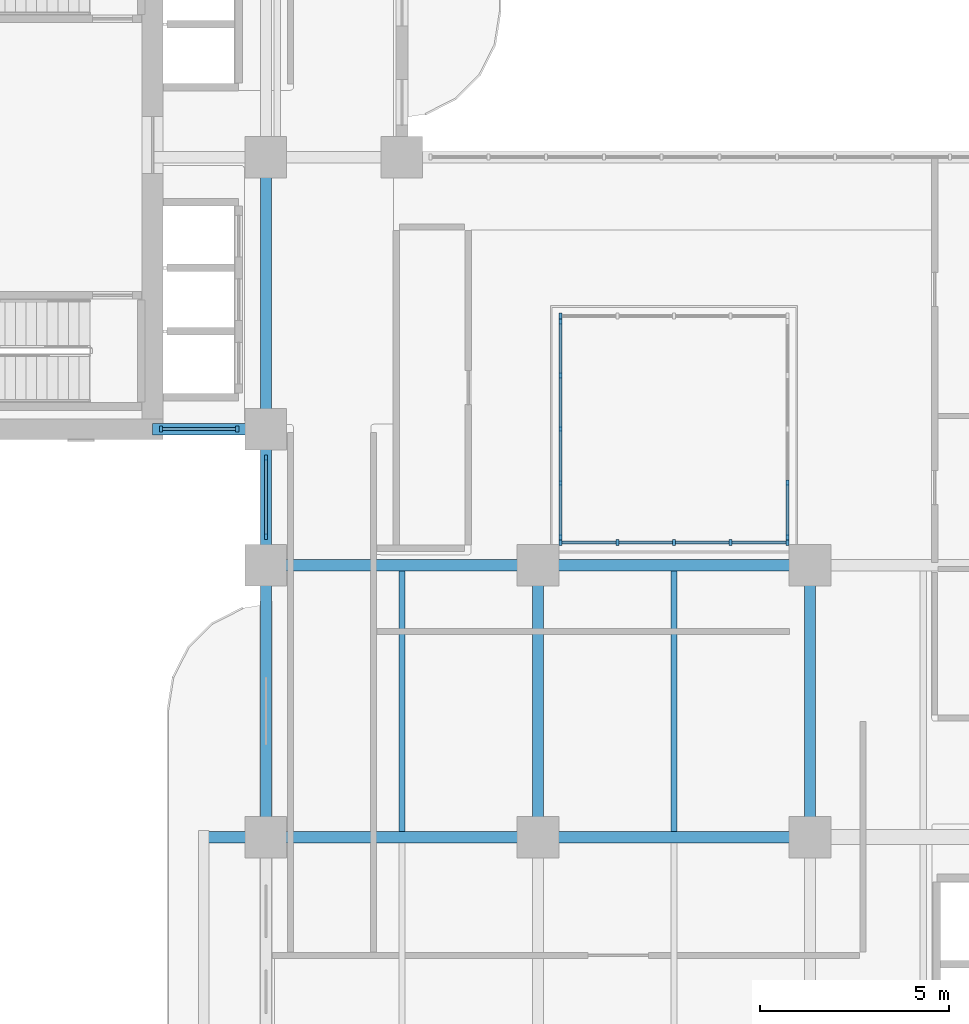
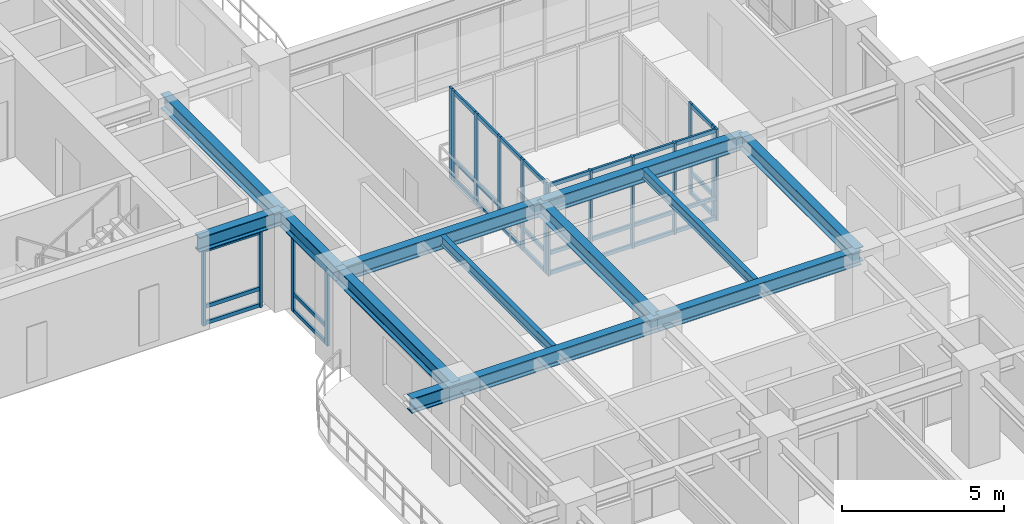
# One storey, part 2 of 22: 50 members, 12 beams, 6 elements without a shape of their own.
"""IFC4 building model written with IfcOpenShell, lengths in metres."""

from ifc_helpers import new_model, si_unit, derived_unit, direction, frame, origin, origin_2d, place, context, subcontext, project, spatial, rectangle, i_section, extrude, source, transform, mapped, material, layer, layer_set, material_profile, profile_set, type_object, type_shapes, element, aggregate, save


model = new_model("IFC4")

# Units and contexts
model_context = context("Model", 3, precision=1e-05, world=origin(), true_north=direction((0.0, 1.0)))
body_context = subcontext(model_context, "Body", "Model", "MODEL_VIEW")
ifc_project = project(units=[si_unit("LENGTHUNIT", "METRE"), si_unit("AREAUNIT", "SQUARE_METRE"), si_unit("VOLUMEUNIT", "CUBIC_METRE"), si_unit("PLANEANGLEUNIT", "RADIAN"), si_unit("MASSUNIT", "GRAM", prefix="KILO"), si_unit("THERMODYNAMICTEMPERATUREUNIT", "KELVIN"), si_unit("POWERUNIT", "WATT"), derived_unit("THERMALTRANSMITTANCEUNIT", [(si_unit("POWERUNIT", "WATT"), 1), (si_unit("AREAUNIT", "SQUARE_METRE"), -1), (si_unit("THERMODYNAMICTEMPERATUREUNIT", "KELVIN"), -1)])], contexts=[model_context])

# Site, building, storey
site_placement = place(None, origin())
site = spatial("IfcSite", under=ifc_project, at=site_placement, CompositionType="ELEMENT")
building_placement = place(site_placement, origin())
building = spatial("IfcBuilding", under=site, at=building_placement, Name="Zahravan Archway Hotel and Residences", CompositionType="ELEMENT")
storey_placement = place(building_placement, frame((0.0, 0.0, 76.800048828125)))
storey = spatial("IfcBuildingStorey", under=building, at=storey_placement, Name="L18", CompositionType="ELEMENT", Elevation=76.800048828125)

# Beams
ifc_material_1 = material(Name="Structural Steel S355JR", Category="steel")
ifc_material_profile_1 = material_profile(ifc_material_1, i_section(OverallWidth=0.300048828125, OverallDepth=0.550048828125, WebThickness=0.014892578125, FlangeThickness=0.029052734375, FilletRadius=0.027099609375, at=origin_2d()), Name="HEB 550", Category="steel")
ifc_profile_set_1 = profile_set([ifc_material_profile_1], Name="Structural Steel S355JR")
beam_type_1 = type_object("IfcBeamType", Name="BM-PRI-HEB550", PredefinedType="BEAM", material=ifc_profile_set_1)
shared_shape_1 = source(origin(), body_context, "Body", "SweptSolid", [
    extrude(i_section(OverallWidth=0.300048828125, OverallDepth=0.550048828125, WebThickness=0.014892578125, FlangeThickness=0.029052734375, FilletRadius=0.027099609375, at=origin_2d()), origin(), (0.0, 0.0, 1.0), 7.2001953125),
])
type_shapes(beam_type_1, [shared_shape_1])
for number, where, z_axis, x_axis, name in (
    (1, (14.39990234375, 21.60009765625, 3.175048828125), (1.0, 0.0, 0.0), (0.0, 1.0, 0.0), "L18 Primary Girder EW-14"),
    (2, (14.39990234375, 14.39990234375, 3.175048828125), (0.0, 1.0, 0.0), (-1.0, 0.0, 0.0), "L18 Primary Girder NS-34"),
    (3, (21.60009765625, 14.39990234375, 3.175048828125), (0.0, 1.0, 0.0), (-1.0, 0.0, 0.0), "L18 Primary Girder NS-41"),
    (4, (28.800048828125, 14.39990234375, 3.175048828125), (0.0, 1.0, 0.0), (-1.0, 0.0, 0.0), "L18 Primary Girder NS-44"),
):
    element("IfcBeam", number, at=place(storey_placement, frame(where, z_axis=z_axis, x_axis=x_axis)), inside=storey, type_object=beam_type_1, Name=name, PredefinedType="BEAM", context=body_context, shape_type="MappedRepresentation", body=[
        mapped(shared_shape_1, transform((0.0, 0.0, 0.0), scale=1.0)),
    ])
shared_shape_2 = source(origin(), body_context, "Body", "SweptSolid", [
    extrude(i_section(OverallWidth=0.300048828125, OverallDepth=0.550048828125, WebThickness=0.014892578125, FlangeThickness=0.029052734375, FilletRadius=0.027099609375, at=origin_2d()), origin(), (0.0, 0.0, 1.0), 7.199951171875),
])
for number, where, z_axis, x_axis, name in (
    (5, (21.60009765625, 14.39990234375, 3.175048828125), (1.0, 0.0, 0.0), (0.0, 1.0, 0.0), "L18 Primary Girder EW-12"),
    (6, (21.60009765625, 21.60009765625, 3.175048828125), (1.0, 0.0, 0.0), (0.0, 1.0, 0.0), "L18 Primary Girder EW-15"),
    (7, (14.39990234375, 25.199951171875, 3.175048828125), (0.0, 1.0, 0.0), (-1.0, 0.0, 0.0), "L18 Primary Girder NS-36"),
):
    element("IfcBeam", number, at=place(storey_placement, frame(where, z_axis=z_axis, x_axis=x_axis)), inside=storey, type_object=beam_type_1, Name=name, PredefinedType="BEAM", context=body_context, shape_type="MappedRepresentation", body=[
        mapped(shared_shape_2, transform((0.0, 0.0, 0.0), scale=1.0)),
    ])
shared_shape_3 = source(origin(), body_context, "Body", "SweptSolid", [
    extrude(i_section(OverallWidth=0.300048828125, OverallDepth=0.550048828125, WebThickness=0.014892578125, FlangeThickness=0.029052734375, FilletRadius=0.027099609375, at=origin_2d()), origin(), (0.0, 0.0, 1.0), 8.85009765625),
])
beam_1_placement = place(storey_placement, frame((12.75, 14.39990234375, 3.175048828125), z_axis=(1.0, 0.0, 0.0), x_axis=(0.0, 1.0, 0.0)))
element("IfcBeam", 8, at=beam_1_placement, inside=storey, type_object=beam_type_1, Name="L18 Primary Girder EW-11", PredefinedType="BEAM", context=body_context, shape_type="MappedRepresentation", body=[
    mapped(shared_shape_3, transform((0.0, 0.0, 0.0), scale=1.0)),
])
shared_shape_4 = source(origin(), body_context, "Body", "SweptSolid", [
    extrude(i_section(OverallWidth=0.300048828125, OverallDepth=0.550048828125, WebThickness=0.014892578125, FlangeThickness=0.029052734375, FilletRadius=0.027099609375, at=origin_2d()), origin(), (0.0, 0.0, 1.0), 3.0),
])
beam_2_placement = place(storey_placement, frame((11.39990234375, 25.199951171875, 3.175048828125), z_axis=(1.0, 0.0, 0.0), x_axis=(0.0, 1.0, 0.0)))
element("IfcBeam", 9, at=beam_2_placement, inside=storey, type_object=beam_type_1, Name="L18 Primary Girder EW-20", PredefinedType="BEAM", context=body_context, shape_type="MappedRepresentation", body=[
    mapped(shared_shape_4, transform((0.0, 0.0, 0.0), scale=1.0)),
])
shared_shape_5 = source(origin(), body_context, "Body", "SweptSolid", [
    extrude(i_section(OverallWidth=0.300048828125, OverallDepth=0.550048828125, WebThickness=0.014892578125, FlangeThickness=0.029052734375, FilletRadius=0.027099609375, at=origin_2d()), origin(), (0.0, 0.0, 1.0), 3.599853515625),
])
beam_3_placement = place(storey_placement, frame((14.39990234375, 21.60009765625, 3.175048828125), z_axis=(0.0, 1.0, 0.0), x_axis=(-1.0, 0.0, 0.0)))
element("IfcBeam", 10, at=beam_3_placement, inside=storey, type_object=beam_type_1, Name="L18 Primary Girder NS-35", PredefinedType="BEAM", context=body_context, shape_type="MappedRepresentation", body=[
    mapped(shared_shape_5, transform((0.0, 0.0, 0.0), scale=1.0)),
])
ifc_material_profile_2 = material_profile(ifc_material_1, i_section(OverallWidth=0.169921875, OverallDepth=0.360107421875, WebThickness=0.008056640625, FlangeThickness=0.0126953125, FilletRadius=0.01806640625, at=origin_2d()), Name="IPE 360", Category="steel")
ifc_profile_set_2 = profile_set([ifc_material_profile_2], Name="Structural Steel S355JR")
beam_type_2 = type_object("IfcBeamType", Name="BM-JST-IPE360", PredefinedType="JOIST", material=ifc_profile_set_2)
shared_shape_6 = source(origin(), body_context, "Body", "SweptSolid", [
    extrude(i_section(OverallWidth=0.169921875, OverallDepth=0.360107421875, WebThickness=0.008056640625, FlangeThickness=0.0126953125, FilletRadius=0.01806640625, at=origin_2d()), origin(), (0.0, 0.0, 1.0), 6.90380859375),
])
for number, where, z_axis, x_axis, name in (
    (11, (18.0, 14.548095703125, 3.27001953125), (0.0, 1.0, 0.0), (-1.0, 0.0, 0.0), "L18 Composite Floor Joist 10"),
    (12, (25.199951171875, 14.548095703125, 3.27001953125), (0.0, 1.0, 0.0), (-1.0, 0.0, 0.0), "L18 Composite Floor Joist 11"),
):
    element("IfcBeam", number, at=place(storey_placement, frame(where, z_axis=z_axis, x_axis=x_axis)), inside=storey, type_object=beam_type_2, Name=name, PredefinedType="JOIST", context=body_context, shape_type="MappedRepresentation", body=[
        mapped(shared_shape_6, transform((0.0, 0.0, 0.0), scale=1.0)),
    ])

# Curtain wall, members
ifc_material_2 = material(Name="Bronze-Anodized Unitised Aluminium & Low-E Glass", Category="aluminium")
ifc_layer = layer(ifc_material_2, 0.179931640625, Name="Bronze-Anodized Unitised Aluminium & Low-E Glass", Category="aluminium")
ifc_layer_set = layer_set([ifc_layer], Name="Bronze-Anodized Unitised Aluminium & Low-E Glass")
curtain_wall_type = type_object("IfcCurtainWallType", Name="CW-ATR-GLAZ", PredefinedType="NOTDEFINED", material=ifc_layer_set)
curtain_wall_1_placement = place(storey_placement, origin())
curtain_wall_1 = element("IfcCurtainWall", 13, at=curtain_wall_1_placement, inside=storey, type_object=curtain_wall_type, Name="L18 Curtain Wall CW-L18-WA-WLU-1", PredefinedType="NOTDEFINED")
ifc_material_3 = material(Name="Bronze-Anodized Extruded Aluminium", Category="aluminium")
ifc_material_profile_3 = material_profile(ifc_material_3, rectangle(XDim=0.080078125, YDim=0.159912109375, at=origin_2d()), Name="MUL 80x160", Category="aluminium")
ifc_profile_set_3 = profile_set([ifc_material_profile_3], Name="Bronze-Anodized Extruded Aluminium")
member_type_1 = type_object("IfcMemberType", Name="CWM-MUL-160", PredefinedType="MULLION", material=ifc_profile_set_3)
shared_shape_7 = source(origin(), body_context, "Body", "SweptSolid", [
    extrude(rectangle(XDim=0.080078125, YDim=0.159912109375, at=origin_2d()), origin(), (0.0, 0.0, 1.0), 2.885009765625),
])
member_1_placement = place(storey_placement, frame((14.39990234375, 22.360107421875, 0.0), z_axis=(0.0, 0.0, 1.0), x_axis=(1.0, 0.0, 0.0)))
member_1 = element("IfcMember", 14, at=member_1_placement, type_object=member_type_1, Name="CW-L18-WA-WLU-1 Mullion 0", PredefinedType="MULLION", context=body_context, shape_type="MappedRepresentation", body=[
    mapped(shared_shape_7, transform((0.0, 0.0, 0.0), scale=1.0)),
])
member_2_placement = place(storey_placement, frame((14.39990234375, 24.43994140625, 0.0), z_axis=(0.0, 0.0, 1.0), x_axis=(1.0, 0.0, 0.0)))
member_2 = element("IfcMember", 15, at=member_2_placement, type_object=member_type_1, Name="CW-L18-WA-WLU-1 Mullion 1", PredefinedType="MULLION", context=body_context, shape_type="MappedRepresentation", body=[
    mapped(shared_shape_7, transform((0.0, 0.0, 0.0), scale=1.0)),
])

curtain_wall_2_placement = place(storey_placement, origin())
curtain_wall_2 = element("IfcCurtainWall", 16, at=curtain_wall_2_placement, inside=storey, type_object=curtain_wall_type, Name="L18 Curtain Wall CW-L18-WB-SE-1", PredefinedType="NOTDEFINED")
member_3_placement = place(storey_placement, frame((11.6201171875, 25.199951171875, 0.0), z_axis=(0.0, 0.0, 1.0), x_axis=(1.0, 0.0, 0.0)))
member_3 = element("IfcMember", 17, at=member_3_placement, type_object=member_type_1, Name="CW-L18-WB-SE-1 Mullion 0", PredefinedType="MULLION", context=body_context, shape_type="MappedRepresentation", body=[
    mapped(shared_shape_7, transform((0.0, 0.0, 0.0), scale=1.0)),
])
member_4_placement = place(storey_placement, frame((13.639892578125, 25.199951171875, 0.0), z_axis=(0.0, 0.0, 1.0), x_axis=(1.0, 0.0, 0.0)))
member_4 = element("IfcMember", 18, at=member_4_placement, type_object=member_type_1, Name="CW-L18-WB-SE-1 Mullion 1", PredefinedType="MULLION", context=body_context, shape_type="MappedRepresentation", body=[
    mapped(shared_shape_7, transform((0.0, 0.0, 0.0), scale=1.0)),
])
ifc_material_profile_4 = material_profile(ifc_material_3, rectangle(XDim=0.080078125, YDim=0.139892578125, at=origin_2d()), Name="TRN 80x140", Category="aluminium")
ifc_profile_set_4 = profile_set([ifc_material_profile_4], Name="Bronze-Anodized Extruded Aluminium")
member_type_2 = type_object("IfcMemberType", Name="CWM-TRN-140", PredefinedType="USERDEFINED", material=ifc_profile_set_4)
shared_shape_8 = source(origin(), body_context, "Body", "SweptSolid", [
    extrude(rectangle(XDim=0.080078125, YDim=0.139892578125, at=origin_2d()), origin(), (0.0, 0.0, 1.0), 1.940185546875),
])
member_5_placement = place(storey_placement, frame((11.659912109375, 25.199951171875, 0.070068359375), z_axis=(1.0, 0.0, 0.0), x_axis=(0.0, 1.0, 0.0)))
member_5 = element("IfcMember", 19, at=member_5_placement, type_object=member_type_2, Name="CW-L18-WB-SE-1 Transom 0-1", ObjectType="TRANSOM", PredefinedType="USERDEFINED", context=body_context, shape_type="MappedRepresentation", body=[
    mapped(shared_shape_8, transform((0.0, 0.0, 0.0), scale=1.0)),
])
member_6_placement = place(storey_placement, frame((11.659912109375, 25.199951171875, 0.6923828125), z_axis=(1.0, 0.0, 0.0), x_axis=(0.0, 1.0, 0.0)))
member_6 = element("IfcMember", 20, at=member_6_placement, type_object=member_type_2, Name="CW-L18-WB-SE-1 Transom 0-2", ObjectType="TRANSOM", PredefinedType="USERDEFINED", context=body_context, shape_type="MappedRepresentation", body=[
    mapped(shared_shape_8, transform((0.0, 0.0, 0.0), scale=1.0)),
])
member_7_placement = place(storey_placement, frame((11.659912109375, 25.199951171875, 2.81494140625), z_axis=(1.0, 0.0, 0.0), x_axis=(0.0, 1.0, 0.0)))
member_7 = element("IfcMember", 21, at=member_7_placement, type_object=member_type_2, Name="CW-L18-WB-SE-1 Transom 0-3", ObjectType="TRANSOM", PredefinedType="USERDEFINED", context=body_context, shape_type="MappedRepresentation", body=[
    mapped(shared_shape_8, transform((0.0, 0.0, 0.0), scale=1.0)),
])
aggregate(curtain_wall_2, [member_3, member_4, member_5, member_6, member_7])

# Member
shared_shape_9 = source(origin(), body_context, "Body", "SweptSolid", [
    extrude(rectangle(XDim=0.080078125, YDim=0.139892578125, at=origin_2d()), origin(), (0.0, 0.0, 1.0), 2.0),
])
member_8_placement = place(storey_placement, frame((14.39990234375, 22.39990234375, 0.070068359375), z_axis=(0.0, 1.0, 0.0), x_axis=(-1.0, 0.0, 0.0)))
member_8 = element("IfcMember", 22, at=member_8_placement, type_object=member_type_2, Name="CW-L18-WA-WLU-1 Transom 0-1", ObjectType="TRANSOM", PredefinedType="USERDEFINED", context=body_context, shape_type="MappedRepresentation", body=[
    mapped(shared_shape_9, transform((0.0, 0.0, 0.0), scale=1.0)),
])

member_9_placement = place(storey_placement, frame((14.39990234375, 22.39990234375, 0.6923828125), z_axis=(0.0, 1.0, 0.0), x_axis=(-1.0, 0.0, 0.0)))
member_9 = element("IfcMember", 23, at=member_9_placement, type_object=member_type_2, Name="CW-L18-WA-WLU-1 Transom 0-2", ObjectType="TRANSOM", PredefinedType="USERDEFINED", context=body_context, shape_type="MappedRepresentation", body=[
    mapped(shared_shape_9, transform((0.0, 0.0, 0.0), scale=1.0)),
])

member_10_placement = place(storey_placement, frame((14.39990234375, 22.39990234375, 2.81494140625), z_axis=(0.0, 1.0, 0.0), x_axis=(-1.0, 0.0, 0.0)))
member_10 = element("IfcMember", 24, at=member_10_placement, type_object=member_type_2, Name="CW-L18-WA-WLU-1 Transom 0-3", ObjectType="TRANSOM", PredefinedType="USERDEFINED", context=body_context, shape_type="MappedRepresentation", body=[
    mapped(shared_shape_9, transform((0.0, 0.0, 0.0), scale=1.0)),
])

aggregate(curtain_wall_1, [member_1, member_2, member_8, member_9, member_10])

# Curtain wall, members
curtain_wall_3_placement = place(storey_placement, origin())
curtain_wall_3 = element("IfcCurtainWall", 25, at=curtain_wall_3_placement, inside=storey, type_object=curtain_wall_type, Name="L18 Curtain Wall CW-ATR-L18-S-1", PredefinedType="NOTDEFINED")
shared_shape_10 = source(origin(), body_context, "Body", "SweptSolid", [
    extrude(rectangle(XDim=0.080078125, YDim=0.159912109375, at=origin_2d()), origin(), (0.0, 0.0, 1.0), 3.449951171875),
])
member_11_placement = place(storey_placement, frame((22.199951171875, 22.199951171875, 0.0), z_axis=(0.0, 0.0, 1.0), x_axis=(1.0, 0.0, 0.0)))
member_11 = element("IfcMember", 26, at=member_11_placement, type_object=member_type_1, Name="CW-ATR-L18-S-1 Mullion 0", PredefinedType="MULLION", context=body_context, shape_type="MappedRepresentation", body=[
    mapped(shared_shape_10, transform((0.0, 0.0, 0.0), scale=1.0)),
])
member_12_placement = place(storey_placement, frame((23.699951171875, 22.199951171875, 0.0), z_axis=(0.0, 0.0, 1.0), x_axis=(1.0, 0.0, 0.0)))
member_12 = element("IfcMember", 27, at=member_12_placement, type_object=member_type_1, Name="CW-ATR-L18-S-1 Mullion 1", PredefinedType="MULLION", context=body_context, shape_type="MappedRepresentation", body=[
    mapped(shared_shape_10, transform((0.0, 0.0, 0.0), scale=1.0)),
])
member_13_placement = place(storey_placement, frame((25.199951171875, 22.199951171875, 0.0), z_axis=(0.0, 0.0, 1.0), x_axis=(1.0, 0.0, 0.0)))
member_13 = element("IfcMember", 28, at=member_13_placement, type_object=member_type_1, Name="CW-ATR-L18-S-1 Mullion 2", PredefinedType="MULLION", context=body_context, shape_type="MappedRepresentation", body=[
    mapped(shared_shape_10, transform((0.0, 0.0, 0.0), scale=1.0)),
])
member_14_placement = place(storey_placement, frame((26.699951171875, 22.199951171875, 0.0), z_axis=(0.0, 0.0, 1.0), x_axis=(1.0, 0.0, 0.0)))
member_14 = element("IfcMember", 29, at=member_14_placement, type_object=member_type_1, Name="CW-ATR-L18-S-1 Mullion 3", PredefinedType="MULLION", context=body_context, shape_type="MappedRepresentation", body=[
    mapped(shared_shape_10, transform((0.0, 0.0, 0.0), scale=1.0)),
])
member_15_placement = place(storey_placement, frame((28.199951171875, 22.199951171875, 0.0), z_axis=(0.0, 0.0, 1.0), x_axis=(1.0, 0.0, 0.0)))
member_15 = element("IfcMember", 30, at=member_15_placement, type_object=member_type_1, Name="CW-ATR-L18-S-1 Mullion 4", PredefinedType="MULLION", context=body_context, shape_type="MappedRepresentation", body=[
    mapped(shared_shape_10, transform((0.0, 0.0, 0.0), scale=1.0)),
])

# Curtain wall, member
curtain_wall_4_placement = place(storey_placement, origin())
curtain_wall_4 = element("IfcCurtainWall", 31, at=curtain_wall_4_placement, inside=storey, type_object=curtain_wall_type, Name="L18 Curtain Wall CW-ATR-L18-N-1", PredefinedType="NOTDEFINED")
member_16_placement = place(storey_placement, frame((22.199951171875, 28.199951171875, 0.0), z_axis=(0.0, 0.0, 1.0), x_axis=(1.0, 0.0, 0.0)))
member_16 = element("IfcMember", 32, at=member_16_placement, type_object=member_type_1, Name="CW-ATR-L18-N-1 Mullion 0", PredefinedType="MULLION", context=body_context, shape_type="MappedRepresentation", body=[
    mapped(shared_shape_10, transform((0.0, 0.0, 0.0), scale=1.0)),
])
aggregate(curtain_wall_4, [member_16])

# Curtain wall, members
curtain_wall_5_placement = place(storey_placement, origin())
curtain_wall_5 = element("IfcCurtainWall", 33, at=curtain_wall_5_placement, inside=storey, type_object=curtain_wall_type, Name="L18 Curtain Wall CW-ATR-L18-W-1", PredefinedType="NOTDEFINED")
member_17_placement = place(storey_placement, frame((22.199951171875, 22.35009765625, 0.0), z_axis=(0.0, 0.0, 1.0), x_axis=(1.0, 0.0, 0.0)))
member_17 = element("IfcMember", 34, at=member_17_placement, type_object=member_type_1, Name="CW-ATR-L18-W-1 Mullion 0", PredefinedType="MULLION", context=body_context, shape_type="MappedRepresentation", body=[
    mapped(shared_shape_10, transform((0.0, 0.0, 0.0), scale=1.0)),
])
member_18_placement = place(storey_placement, frame((22.199951171875, 23.77490234375, 0.0), z_axis=(0.0, 0.0, 1.0), x_axis=(1.0, 0.0, 0.0)))
member_18 = element("IfcMember", 35, at=member_18_placement, type_object=member_type_1, Name="CW-ATR-L18-W-1 Mullion 1", PredefinedType="MULLION", context=body_context, shape_type="MappedRepresentation", body=[
    mapped(shared_shape_10, transform((0.0, 0.0, 0.0), scale=1.0)),
])
member_19_placement = place(storey_placement, frame((22.199951171875, 25.199951171875, 0.0), z_axis=(0.0, 0.0, 1.0), x_axis=(1.0, 0.0, 0.0)))
member_19 = element("IfcMember", 36, at=member_19_placement, type_object=member_type_1, Name="CW-ATR-L18-W-1 Mullion 2", PredefinedType="MULLION", context=body_context, shape_type="MappedRepresentation", body=[
    mapped(shared_shape_10, transform((0.0, 0.0, 0.0), scale=1.0)),
])
member_20_placement = place(storey_placement, frame((22.199951171875, 26.625, 0.0), z_axis=(0.0, 0.0, 1.0), x_axis=(1.0, 0.0, 0.0)))
member_20 = element("IfcMember", 37, at=member_20_placement, type_object=member_type_1, Name="CW-ATR-L18-W-1 Mullion 3", PredefinedType="MULLION", context=body_context, shape_type="MappedRepresentation", body=[
    mapped(shared_shape_10, transform((0.0, 0.0, 0.0), scale=1.0)),
])
member_21_placement = place(storey_placement, frame((22.199951171875, 28.050048828125, 0.0), z_axis=(0.0, 0.0, 1.0), x_axis=(1.0, 0.0, 0.0)))
member_21 = element("IfcMember", 38, at=member_21_placement, type_object=member_type_1, Name="CW-ATR-L18-W-1 Mullion 4", PredefinedType="MULLION", context=body_context, shape_type="MappedRepresentation", body=[
    mapped(shared_shape_10, transform((0.0, 0.0, 0.0), scale=1.0)),
])

curtain_wall_6_placement = place(storey_placement, origin())
curtain_wall_6 = element("IfcCurtainWall", 39, at=curtain_wall_6_placement, inside=storey, type_object=curtain_wall_type, Name="L18 Curtain Wall CW-ATR-L18-E-1", PredefinedType="NOTDEFINED")
member_22_placement = place(storey_placement, frame((28.199951171875, 22.35009765625, 0.0), z_axis=(0.0, 0.0, 1.0), x_axis=(1.0, 0.0, 0.0)))
member_22 = element("IfcMember", 40, at=member_22_placement, type_object=member_type_1, Name="CW-ATR-L18-E-1 Mullion 0", PredefinedType="MULLION", context=body_context, shape_type="MappedRepresentation", body=[
    mapped(shared_shape_10, transform((0.0, 0.0, 0.0), scale=1.0)),
])
member_23_placement = place(storey_placement, frame((28.199951171875, 23.77490234375, 0.0), z_axis=(0.0, 0.0, 1.0), x_axis=(1.0, 0.0, 0.0)))
member_23 = element("IfcMember", 41, at=member_23_placement, type_object=member_type_1, Name="CW-ATR-L18-E-1 Mullion 1", PredefinedType="MULLION", context=body_context, shape_type="MappedRepresentation", body=[
    mapped(shared_shape_10, transform((0.0, 0.0, 0.0), scale=1.0)),
])

# Member
shared_shape_11 = source(origin(), body_context, "Body", "SweptSolid", [
    extrude(rectangle(XDim=0.080078125, YDim=0.139892578125, at=origin_2d()), origin(), (0.0, 0.0, 1.0), 1.419921875),
])
member_24_placement = place(storey_placement, frame((22.239990234375, 22.199951171875, 0.070068359375), z_axis=(1.0, 0.0, 0.0), x_axis=(0.0, 1.0, 0.0)))
member_24 = element("IfcMember", 42, at=member_24_placement, type_object=member_type_2, Name="CW-ATR-L18-S-1 Transom 0-1", ObjectType="TRANSOM", PredefinedType="USERDEFINED", context=body_context, shape_type="MappedRepresentation", body=[
    mapped(shared_shape_11, transform((0.0, 0.0, 0.0), scale=1.0)),
])

member_25_placement = place(storey_placement, frame((22.239990234375, 22.199951171875, 0.827880859375), z_axis=(1.0, 0.0, 0.0), x_axis=(0.0, 1.0, 0.0)))
member_25 = element("IfcMember", 43, at=member_25_placement, type_object=member_type_2, Name="CW-ATR-L18-S-1 Transom 0-2", ObjectType="TRANSOM", PredefinedType="USERDEFINED", context=body_context, shape_type="MappedRepresentation", body=[
    mapped(shared_shape_11, transform((0.0, 0.0, 0.0), scale=1.0)),
])

member_26_placement = place(storey_placement, frame((22.239990234375, 22.199951171875, 3.3798828125), z_axis=(1.0, 0.0, 0.0), x_axis=(0.0, 1.0, 0.0)))
member_26 = element("IfcMember", 44, at=member_26_placement, type_object=member_type_2, Name="CW-ATR-L18-S-1 Transom 0-3", ObjectType="TRANSOM", PredefinedType="USERDEFINED", context=body_context, shape_type="MappedRepresentation", body=[
    mapped(shared_shape_11, transform((0.0, 0.0, 0.0), scale=1.0)),
])

member_27_placement = place(storey_placement, frame((23.739990234375, 22.199951171875, 0.070068359375), z_axis=(1.0, 0.0, 0.0), x_axis=(0.0, 1.0, 0.0)))
member_27 = element("IfcMember", 45, at=member_27_placement, type_object=member_type_2, Name="CW-ATR-L18-S-1 Transom 1-1", ObjectType="TRANSOM", PredefinedType="USERDEFINED", context=body_context, shape_type="MappedRepresentation", body=[
    mapped(shared_shape_11, transform((0.0, 0.0, 0.0), scale=1.0)),
])

member_28_placement = place(storey_placement, frame((23.739990234375, 22.199951171875, 0.827880859375), z_axis=(1.0, 0.0, 0.0), x_axis=(0.0, 1.0, 0.0)))
member_28 = element("IfcMember", 46, at=member_28_placement, type_object=member_type_2, Name="CW-ATR-L18-S-1 Transom 1-2", ObjectType="TRANSOM", PredefinedType="USERDEFINED", context=body_context, shape_type="MappedRepresentation", body=[
    mapped(shared_shape_11, transform((0.0, 0.0, 0.0), scale=1.0)),
])

member_29_placement = place(storey_placement, frame((23.739990234375, 22.199951171875, 3.3798828125), z_axis=(1.0, 0.0, 0.0), x_axis=(0.0, 1.0, 0.0)))
member_29 = element("IfcMember", 47, at=member_29_placement, type_object=member_type_2, Name="CW-ATR-L18-S-1 Transom 1-3", ObjectType="TRANSOM", PredefinedType="USERDEFINED", context=body_context, shape_type="MappedRepresentation", body=[
    mapped(shared_shape_11, transform((0.0, 0.0, 0.0), scale=1.0)),
])

member_30_placement = place(storey_placement, frame((25.239990234375, 22.199951171875, 0.070068359375), z_axis=(1.0, 0.0, 0.0), x_axis=(0.0, 1.0, 0.0)))
member_30 = element("IfcMember", 48, at=member_30_placement, type_object=member_type_2, Name="CW-ATR-L18-S-1 Transom 2-1", ObjectType="TRANSOM", PredefinedType="USERDEFINED", context=body_context, shape_type="MappedRepresentation", body=[
    mapped(shared_shape_11, transform((0.0, 0.0, 0.0), scale=1.0)),
])

member_31_placement = place(storey_placement, frame((25.239990234375, 22.199951171875, 0.827880859375), z_axis=(1.0, 0.0, 0.0), x_axis=(0.0, 1.0, 0.0)))
member_31 = element("IfcMember", 49, at=member_31_placement, type_object=member_type_2, Name="CW-ATR-L18-S-1 Transom 2-2", ObjectType="TRANSOM", PredefinedType="USERDEFINED", context=body_context, shape_type="MappedRepresentation", body=[
    mapped(shared_shape_11, transform((0.0, 0.0, 0.0), scale=1.0)),
])

member_32_placement = place(storey_placement, frame((25.239990234375, 22.199951171875, 3.3798828125), z_axis=(1.0, 0.0, 0.0), x_axis=(0.0, 1.0, 0.0)))
member_32 = element("IfcMember", 50, at=member_32_placement, type_object=member_type_2, Name="CW-ATR-L18-S-1 Transom 2-3", ObjectType="TRANSOM", PredefinedType="USERDEFINED", context=body_context, shape_type="MappedRepresentation", body=[
    mapped(shared_shape_11, transform((0.0, 0.0, 0.0), scale=1.0)),
])

member_33_placement = place(storey_placement, frame((26.739990234375, 22.199951171875, 0.070068359375), z_axis=(1.0, 0.0, 0.0), x_axis=(0.0, 1.0, 0.0)))
member_33 = element("IfcMember", 51, at=member_33_placement, type_object=member_type_2, Name="CW-ATR-L18-S-1 Transom 3-1", ObjectType="TRANSOM", PredefinedType="USERDEFINED", context=body_context, shape_type="MappedRepresentation", body=[
    mapped(shared_shape_11, transform((0.0, 0.0, 0.0), scale=1.0)),
])

member_34_placement = place(storey_placement, frame((26.739990234375, 22.199951171875, 0.827880859375), z_axis=(1.0, 0.0, 0.0), x_axis=(0.0, 1.0, 0.0)))
member_34 = element("IfcMember", 52, at=member_34_placement, type_object=member_type_2, Name="CW-ATR-L18-S-1 Transom 3-2", ObjectType="TRANSOM", PredefinedType="USERDEFINED", context=body_context, shape_type="MappedRepresentation", body=[
    mapped(shared_shape_11, transform((0.0, 0.0, 0.0), scale=1.0)),
])

member_35_placement = place(storey_placement, frame((26.739990234375, 22.199951171875, 3.3798828125), z_axis=(1.0, 0.0, 0.0), x_axis=(0.0, 1.0, 0.0)))
member_35 = element("IfcMember", 53, at=member_35_placement, type_object=member_type_2, Name="CW-ATR-L18-S-1 Transom 3-3", ObjectType="TRANSOM", PredefinedType="USERDEFINED", context=body_context, shape_type="MappedRepresentation", body=[
    mapped(shared_shape_11, transform((0.0, 0.0, 0.0), scale=1.0)),
])

aggregate(curtain_wall_3, [member_11, member_12, member_13, member_14, member_15, member_24, member_25, member_26, member_27, member_28, member_29, member_30, member_31, member_32, member_33, member_34, member_35])

shared_shape_12 = source(origin(), body_context, "Body", "SweptSolid", [
    extrude(rectangle(XDim=0.080078125, YDim=0.139892578125, at=origin_2d()), origin(), (0.0, 0.0, 1.0), 1.34521484375),
])
member_36_placement = place(storey_placement, frame((22.199951171875, 22.389892578125, 0.070068359375), z_axis=(0.0, 1.0, 0.0), x_axis=(-1.0, 0.0, 0.0)))
member_36 = element("IfcMember", 54, at=member_36_placement, type_object=member_type_2, Name="CW-ATR-L18-W-1 Transom 0-1", ObjectType="TRANSOM", PredefinedType="USERDEFINED", context=body_context, shape_type="MappedRepresentation", body=[
    mapped(shared_shape_12, transform((0.0, 0.0, 0.0), scale=1.0)),
])

member_37_placement = place(storey_placement, frame((22.199951171875, 22.389892578125, 0.827880859375), z_axis=(0.0, 1.0, 0.0), x_axis=(-1.0, 0.0, 0.0)))
member_37 = element("IfcMember", 55, at=member_37_placement, type_object=member_type_2, Name="CW-ATR-L18-W-1 Transom 0-2", ObjectType="TRANSOM", PredefinedType="USERDEFINED", context=body_context, shape_type="MappedRepresentation", body=[
    mapped(shared_shape_12, transform((0.0, 0.0, 0.0), scale=1.0)),
])

member_38_placement = place(storey_placement, frame((22.199951171875, 22.389892578125, 3.3798828125), z_axis=(0.0, 1.0, 0.0), x_axis=(-1.0, 0.0, 0.0)))
member_38 = element("IfcMember", 56, at=member_38_placement, type_object=member_type_2, Name="CW-ATR-L18-W-1 Transom 0-3", ObjectType="TRANSOM", PredefinedType="USERDEFINED", context=body_context, shape_type="MappedRepresentation", body=[
    mapped(shared_shape_12, transform((0.0, 0.0, 0.0), scale=1.0)),
])

member_39_placement = place(storey_placement, frame((28.199951171875, 22.389892578125, 0.070068359375), z_axis=(0.0, 1.0, 0.0), x_axis=(-1.0, 0.0, 0.0)))
member_39 = element("IfcMember", 57, at=member_39_placement, type_object=member_type_2, Name="CW-ATR-L18-E-1 Transom 0-1", ObjectType="TRANSOM", PredefinedType="USERDEFINED", context=body_context, shape_type="MappedRepresentation", body=[
    mapped(shared_shape_12, transform((0.0, 0.0, 0.0), scale=1.0)),
])

member_40_placement = place(storey_placement, frame((28.199951171875, 22.389892578125, 0.827880859375), z_axis=(0.0, 1.0, 0.0), x_axis=(-1.0, 0.0, 0.0)))
member_40 = element("IfcMember", 58, at=member_40_placement, type_object=member_type_2, Name="CW-ATR-L18-E-1 Transom 0-2", ObjectType="TRANSOM", PredefinedType="USERDEFINED", context=body_context, shape_type="MappedRepresentation", body=[
    mapped(shared_shape_12, transform((0.0, 0.0, 0.0), scale=1.0)),
])

member_41_placement = place(storey_placement, frame((28.199951171875, 22.389892578125, 3.3798828125), z_axis=(0.0, 1.0, 0.0), x_axis=(-1.0, 0.0, 0.0)))
member_41 = element("IfcMember", 59, at=member_41_placement, type_object=member_type_2, Name="CW-ATR-L18-E-1 Transom 0-3", ObjectType="TRANSOM", PredefinedType="USERDEFINED", context=body_context, shape_type="MappedRepresentation", body=[
    mapped(shared_shape_12, transform((0.0, 0.0, 0.0), scale=1.0)),
])

aggregate(curtain_wall_6, [member_22, member_23, member_39, member_40, member_41])

shared_shape_13 = source(origin(), body_context, "Body", "SweptSolid", [
    extrude(rectangle(XDim=0.080078125, YDim=0.139892578125, at=origin_2d()), origin(), (0.0, 0.0, 1.0), 1.344970703125),
])
member_42_placement = place(storey_placement, frame((22.199951171875, 23.81494140625, 0.070068359375), z_axis=(0.0, 1.0, 0.0), x_axis=(-1.0, 0.0, 0.0)))
member_42 = element("IfcMember", 60, at=member_42_placement, type_object=member_type_2, Name="CW-ATR-L18-W-1 Transom 1-1", ObjectType="TRANSOM", PredefinedType="USERDEFINED", context=body_context, shape_type="MappedRepresentation", body=[
    mapped(shared_shape_13, transform((0.0, 0.0, 0.0), scale=1.0)),
])

member_43_placement = place(storey_placement, frame((22.199951171875, 23.81494140625, 0.827880859375), z_axis=(0.0, 1.0, 0.0), x_axis=(-1.0, 0.0, 0.0)))
member_43 = element("IfcMember", 61, at=member_43_placement, type_object=member_type_2, Name="CW-ATR-L18-W-1 Transom 1-2", ObjectType="TRANSOM", PredefinedType="USERDEFINED", context=body_context, shape_type="MappedRepresentation", body=[
    mapped(shared_shape_13, transform((0.0, 0.0, 0.0), scale=1.0)),
])

member_44_placement = place(storey_placement, frame((22.199951171875, 23.81494140625, 3.3798828125), z_axis=(0.0, 1.0, 0.0), x_axis=(-1.0, 0.0, 0.0)))
member_44 = element("IfcMember", 62, at=member_44_placement, type_object=member_type_2, Name="CW-ATR-L18-W-1 Transom 1-3", ObjectType="TRANSOM", PredefinedType="USERDEFINED", context=body_context, shape_type="MappedRepresentation", body=[
    mapped(shared_shape_13, transform((0.0, 0.0, 0.0), scale=1.0)),
])

member_45_placement = place(storey_placement, frame((22.199951171875, 25.239990234375, 0.070068359375), z_axis=(0.0, 1.0, 0.0), x_axis=(-1.0, 0.0, 0.0)))
member_45 = element("IfcMember", 63, at=member_45_placement, type_object=member_type_2, Name="CW-ATR-L18-W-1 Transom 2-1", ObjectType="TRANSOM", PredefinedType="USERDEFINED", context=body_context, shape_type="MappedRepresentation", body=[
    mapped(shared_shape_13, transform((0.0, 0.0, 0.0), scale=1.0)),
])

member_46_placement = place(storey_placement, frame((22.199951171875, 25.239990234375, 0.827880859375), z_axis=(0.0, 1.0, 0.0), x_axis=(-1.0, 0.0, 0.0)))
member_46 = element("IfcMember", 64, at=member_46_placement, type_object=member_type_2, Name="CW-ATR-L18-W-1 Transom 2-2", ObjectType="TRANSOM", PredefinedType="USERDEFINED", context=body_context, shape_type="MappedRepresentation", body=[
    mapped(shared_shape_13, transform((0.0, 0.0, 0.0), scale=1.0)),
])

member_47_placement = place(storey_placement, frame((22.199951171875, 25.239990234375, 3.3798828125), z_axis=(0.0, 1.0, 0.0), x_axis=(-1.0, 0.0, 0.0)))
member_47 = element("IfcMember", 65, at=member_47_placement, type_object=member_type_2, Name="CW-ATR-L18-W-1 Transom 2-3", ObjectType="TRANSOM", PredefinedType="USERDEFINED", context=body_context, shape_type="MappedRepresentation", body=[
    mapped(shared_shape_13, transform((0.0, 0.0, 0.0), scale=1.0)),
])

member_48_placement = place(storey_placement, frame((22.199951171875, 26.6650390625, 0.070068359375), z_axis=(0.0, 1.0, 0.0), x_axis=(-1.0, 0.0, 0.0)))
member_48 = element("IfcMember", 66, at=member_48_placement, type_object=member_type_2, Name="CW-ATR-L18-W-1 Transom 3-1", ObjectType="TRANSOM", PredefinedType="USERDEFINED", context=body_context, shape_type="MappedRepresentation", body=[
    mapped(shared_shape_13, transform((0.0, 0.0, 0.0), scale=1.0)),
])

member_49_placement = place(storey_placement, frame((22.199951171875, 26.6650390625, 0.827880859375), z_axis=(0.0, 1.0, 0.0), x_axis=(-1.0, 0.0, 0.0)))
member_49 = element("IfcMember", 67, at=member_49_placement, type_object=member_type_2, Name="CW-ATR-L18-W-1 Transom 3-2", ObjectType="TRANSOM", PredefinedType="USERDEFINED", context=body_context, shape_type="MappedRepresentation", body=[
    mapped(shared_shape_13, transform((0.0, 0.0, 0.0), scale=1.0)),
])

member_50_placement = place(storey_placement, frame((22.199951171875, 26.6650390625, 3.3798828125), z_axis=(0.0, 1.0, 0.0), x_axis=(-1.0, 0.0, 0.0)))
member_50 = element("IfcMember", 68, at=member_50_placement, type_object=member_type_2, Name="CW-ATR-L18-W-1 Transom 3-3", ObjectType="TRANSOM", PredefinedType="USERDEFINED", context=body_context, shape_type="MappedRepresentation", body=[
    mapped(shared_shape_13, transform((0.0, 0.0, 0.0), scale=1.0)),
])

aggregate(curtain_wall_5, [member_17, member_18, member_19, member_20, member_21, member_36, member_37, member_38, member_42, member_43, member_44, member_45, member_46, member_47, member_48, member_49, member_50])

save(model, "model.ifc")
